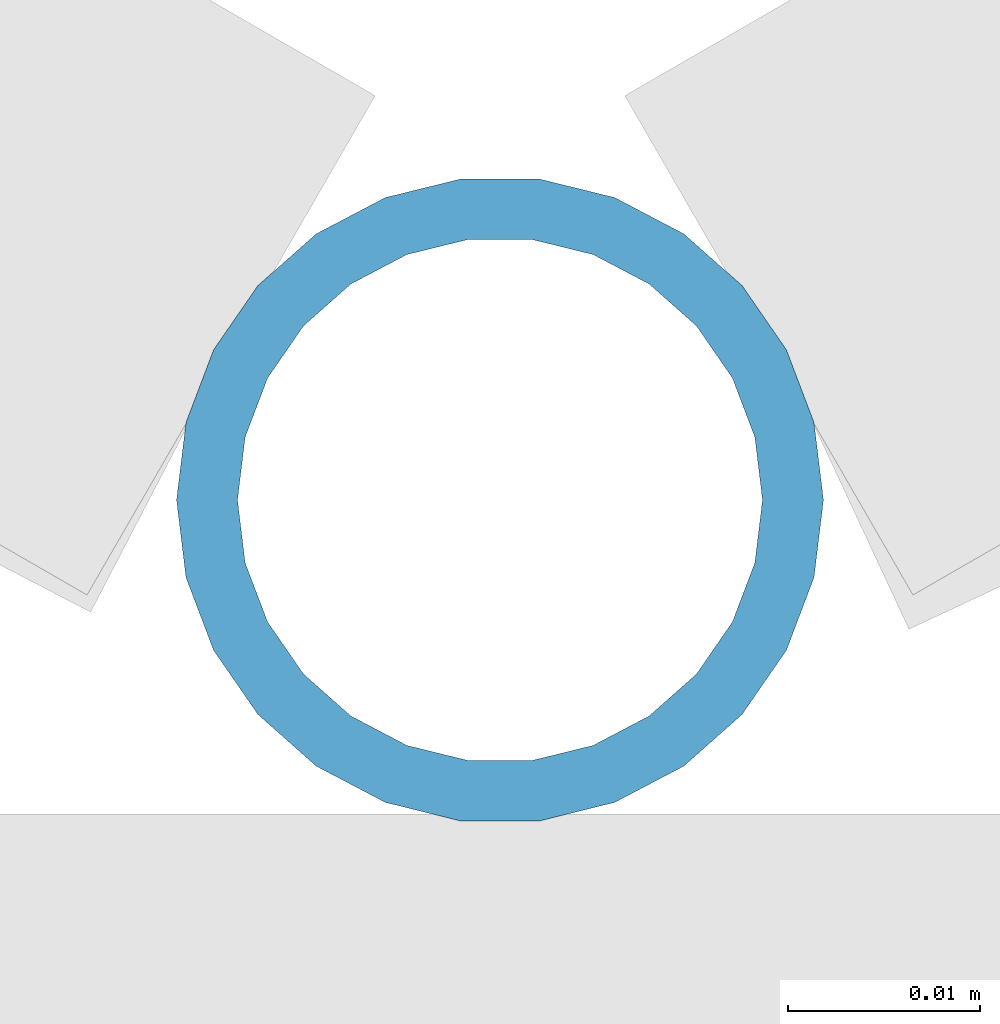
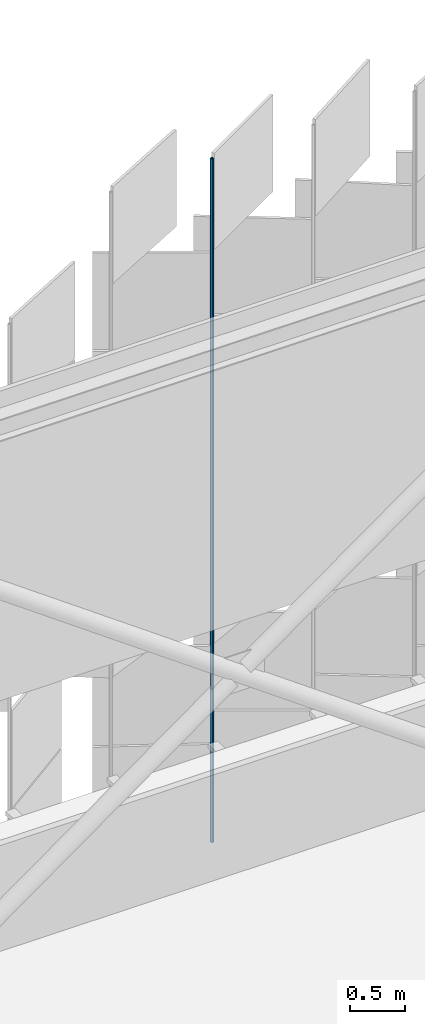
# One storey, part 372 of 483: 1 discrete accessory.
"""IFC4 building model written with IfcOpenShell, lengths in metres."""

from ifc_helpers import new_model, si_unit, direction, frame, origin, origin_2d, place, context, subcontext, project, spatial, hollow_circle, extrude, material, material_profile, profile_set, type_object, element, save


model = new_model("IFC4")

# Units and contexts
model_context = context("Model", 3, precision=1e-05, world=origin(), true_north=direction((0.0, 1.0)))
body_context = subcontext(model_context, "Body", "Model", "MODEL_VIEW")
ifc_project = project(units=[si_unit("LENGTHUNIT", "METRE"), si_unit("AREAUNIT", "SQUARE_METRE"), si_unit("VOLUMEUNIT", "CUBIC_METRE"), si_unit("PLANEANGLEUNIT", "RADIAN"), si_unit("MASSUNIT", "GRAM", prefix="KILO")], contexts=[model_context])

# Site, building, storey
site_placement = place(None, origin())
site = spatial("IfcSite", under=ifc_project, at=site_placement, CompositionType="ELEMENT")
building_placement = place(site_placement, origin())
building = spatial("IfcBuilding", under=site, at=building_placement, Name="Parallax Yard Mobility Hub", CompositionType="ELEMENT")
storey_placement = place(building_placement, frame((0.0, 0.0, 13.199951171875)))
storey = spatial("IfcBuildingStorey", under=building, at=storey_placement, Name="L04", CompositionType="ELEMENT", Elevation=13.199951171875)

# Discrete accessory
ifc_material = material(Name="Steel ASTM A500 Gr C, hot-dip galvanised", Category="steel")
ifc_material_profile = material_profile(ifc_material, hollow_circle(Radius=0.016845703125, WallThickness=0.003173828125, at=origin_2d()), Name="CHS 33.7x3.2")
ifc_profile_set = profile_set([ifc_material_profile], Name="Steel ASTM A500 Gr C, hot-dip galvanised")
discrete_accessory_type = type_object("IfcDiscreteAccessoryType", Name="Hinge post CHS 33.7x3.2", PredefinedType="BRACKET", material=ifc_profile_set)
discrete_accessory_placement = place(storey_placement, frame((154.285400390625, 142.800048828125, 0.0), z_axis=(0.0, 0.0, 1.0), x_axis=(1.0, 0.0, 0.0)))
element("IfcDiscreteAccessory", 1, at=discrete_accessory_placement, inside=storey, type_object=discrete_accessory_type, Name="Hinge post bay 53.4 level L04", PredefinedType="BRACKET", context=body_context, shape_type="SweptSolid", body=[
    extrude(hollow_circle(Radius=0.016845703125, WallThickness=0.003173828125, at=origin_2d()), origin(), (0.0, 0.0, 1.0), 7.650146484375),
])

save(model, "model.ifc")
